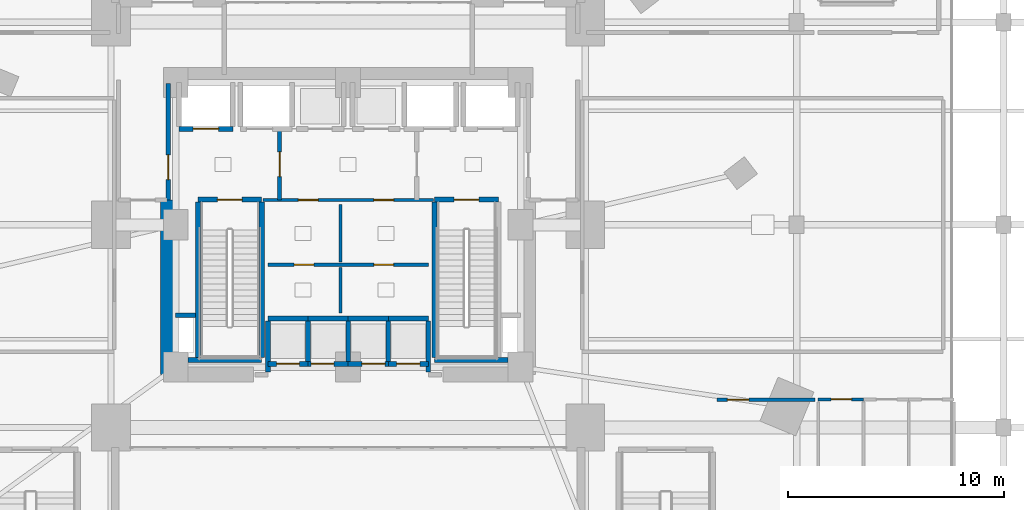
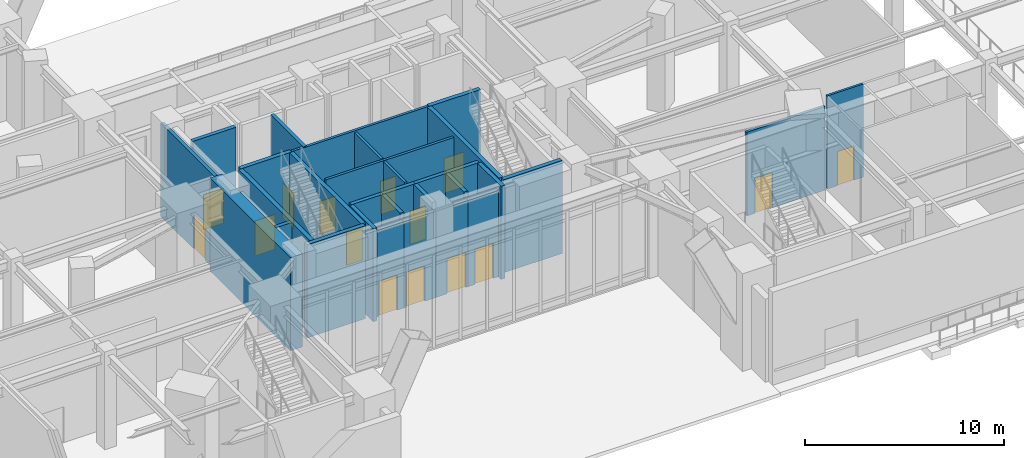
# One storey, part 18 of 27: 31 walls, 15 doors, 15 openings.
"""IFC4 building model written with IfcOpenShell, lengths in metres."""

from ifc_helpers import new_model, si_unit, direction, frame, frame_2d, origin, place, context, subcontext, project, spatial, rectangle, extrude, material, layer, layer_set, type_object, element, fill, save


model = new_model("IFC4")

# Units and contexts
model_context = context("Model", 3, precision=1e-05, world=origin(), true_north=direction((0.0, 1.0)))
body_context = subcontext(model_context, "Body", "Model", "MODEL_VIEW")
ifc_project = project(units=[si_unit("LENGTHUNIT", "METRE"), si_unit("AREAUNIT", "SQUARE_METRE"), si_unit("VOLUMEUNIT", "CUBIC_METRE"), si_unit("PLANEANGLEUNIT", "RADIAN"), si_unit("MASSUNIT", "GRAM", prefix="KILO")], contexts=[model_context])

# Site, building, storey
site_placement = place(None, origin())
site = spatial("IfcSite", under=ifc_project, at=site_placement, CompositionType="ELEMENT")
building_placement = place(site_placement, origin())
building = spatial("IfcBuilding", under=site, at=building_placement, Name="Ndelora Gate Hotel", CompositionType="ELEMENT")
storey_placement = place(building_placement, origin())
storey = spatial("IfcBuildingStorey", under=building, at=storey_placement, Name="L00", CompositionType="ELEMENT", Elevation=0.0)

# Wall
ifc_material_1 = material(Name="Concrete C60/75", Category="concrete")
ifc_layer_1 = layer(ifc_material_1, 0.699951171875)
ifc_layer_set_1 = layer_set([ifc_layer_1], Name="Concrete C60/75")
wall_type_1 = type_object("IfcWallType", Name="WL-CORE-700", PredefinedType="SHEAR", material=ifc_layer_set_1)
wall_1_placement = place(storey_placement, frame((-8.35009765625, -6.949951171875, 0.0), z_axis=(0.0, 0.0, 1.0), x_axis=(0.0, 1.0, 0.0)))
element("IfcWall", 1, at=wall_1_placement, inside=storey, type_object=wall_type_1, Name="L00 Core Shear Wall W", PredefinedType="SHEAR", context=body_context, shape_type="SweptSolid", body=[
    extrude(rectangle(XDim=8.099853515625, YDim=0.699951171875, at=frame_2d((4.0498046875, 0.0))), origin(), (0.0, 0.0, 1.0), 5.719970703125),
])

# Wall, opening, door
ifc_material_2 = material(Name="Concrete C40/50", Category="concrete")
ifc_layer_2 = layer(ifc_material_2, 0.199951171875)
ifc_layer_set_2 = layer_set([ifc_layer_2], Name="Concrete C40/50")
wall_type_2 = type_object("IfcWallType", Name="WL-FIRE-200", PredefinedType="PARTITIONING", material=ifc_layer_set_2)
wall_2_placement = place(storey_placement, frame((-3.179931640625, 1.14990234375, 0.0), z_axis=(0.0, 0.0, 1.0), x_axis=(0.0, 1.0, 0.0)))
wall_2 = element("IfcWall", 2, at=wall_2_placement, inside=storey, type_object=wall_type_2, Name="L00 Interior Wall IW-2", PredefinedType="PARTITIONING", context=body_context, shape_type="SweptSolid", body=[
    extrude(rectangle(XDim=3.300048828125, YDim=0.199951171875, at=frame_2d((1.64990234375, 0.0))), origin(), (0.0, 0.0, 1.0), 5.719970703125),
])
opening_1_placement = place(wall_2_placement, frame((1.080078125, 0.0, 0.0)))
opening_1 = element("IfcOpeningElement", 3, at=opening_1_placement, cuts=wall_2, Name="Opening FD1", PredefinedType="OPENING", context=body_context, shape_type="SweptSolid", body=[
    extrude(rectangle(XDim=1.14990234375, YDim=2.14990234375, at=frame_2d((0.574951171875, 1.074951171875))), frame((0.0, 0.10986328125, 0.0), z_axis=(0.0, -1.0, 0.0), x_axis=(1.0, 0.0, 0.0)), (0.0, 0.0, 1.0), 0.219970703125),
])
ifc_material_3 = material(Name="Fire-Rated Timber-Veneer Steel Core", Category="steel")
door_type_1 = type_object("IfcDoorType", Name="DR-FD60", OperationType="SINGLE_SWING_LEFT", PredefinedType="DOOR", material=ifc_material_3)
door_1_placement = place(opening_1_placement, origin())
door_1 = element("IfcDoor", 4, at=door_1_placement, inside=storey, type_object=door_type_1, Name="L00 Firefighting Lobby West Door", OperationType="SINGLE_SWING_RIGHT", OverallHeight=2.14990234375, OverallWidth=1.14990234375, PredefinedType="DOOR", context=body_context, shape_type="SweptSolid", body=[
    extrude(rectangle(XDim=1.14990234375, YDim=2.14990234375, at=frame_2d((0.574951171875, 1.074951171875))), frame((0.0, 0.02490234375, 0.0), z_axis=(0.0, -1.0, 0.0), x_axis=(1.0, 0.0, 0.0)), (0.0, 0.0, 1.0), 0.050048828125),
])
fill(opening_1, door_1)

wall_3_placement = place(storey_placement, frame((-8.35009765625, 1.14990234375, 0.0), z_axis=(0.0, 0.0, 1.0), x_axis=(0.0, 1.0, 0.0)))
wall_3 = element("IfcWall", 5, at=wall_3_placement, inside=storey, type_object=wall_type_2, Name="L00 Interior Wall IW-2", PredefinedType="PARTITIONING", context=body_context, shape_type="SweptSolid", body=[
    extrude(rectangle(XDim=5.400146484375, YDim=0.199951171875, at=frame_2d((2.7001953125, 0.0))), origin(), (0.0, 0.0, 1.0), 5.719970703125),
])
opening_2_placement = place(wall_3_placement, frame((0.949951171875, 0.0, 0.0)))
opening_2 = element("IfcOpeningElement", 6, at=opening_2_placement, cuts=wall_3, Name="Opening FD1", PredefinedType="OPENING", context=body_context, shape_type="SweptSolid", body=[
    extrude(rectangle(XDim=1.14990234375, YDim=2.14990234375, at=frame_2d((0.574951171875, 1.074951171875))), frame((0.0, 0.10986328125, 0.0), z_axis=(0.0, -1.0, 0.0), x_axis=(1.0, 0.0, 0.0)), (0.0, 0.0, 1.0), 0.219970703125),
])
door_2_placement = place(opening_2_placement, origin())
door_2 = element("IfcDoor", 7, at=door_2_placement, inside=storey, type_object=door_type_1, Name="L00 Firefighting Lobby West Corridor Door", OperationType="SINGLE_SWING_LEFT", OverallHeight=2.14990234375, OverallWidth=1.14990234375, PredefinedType="DOOR", context=body_context, shape_type="SweptSolid", body=[
    extrude(rectangle(XDim=1.14990234375, YDim=2.14990234375, at=frame_2d((0.574951171875, 1.074951171875))), frame((0.0, 0.02490234375, 0.0), z_axis=(0.0, -1.0, 0.0), x_axis=(1.0, 0.0, 0.0)), (0.0, 0.0, 1.0), 0.050048828125),
])
fill(opening_2, door_2)

# Wall, openings, doors
ifc_material_4 = material(Name="Fire-Rated Gypsum Stud Partition", Category="gypsum")
ifc_layer_3 = layer(ifc_material_4, 0.14990234375)
ifc_layer_set_3 = layer_set([ifc_layer_3], Name="Fire-Rated Gypsum Stud Partition")
wall_type_3 = type_object("IfcWallType", Name="WL-PART-150", PredefinedType="PARTITIONING", material=ifc_layer_set_3)
wall_4_placement = place(storey_placement, frame((3.949951171875, 1.14990234375, 0.0), z_axis=(0.0, 0.0, 1.0), x_axis=(-1.0, 0.0, 0.0)))
wall_4 = element("IfcWall", 8, at=wall_4_placement, inside=storey, type_object=wall_type_3, Name="L00 Interior Wall IW-5", PredefinedType="PARTITIONING", context=body_context, shape_type="SweptSolid", body=[
    extrude(rectangle(XDim=7.89990234375, YDim=0.14990234375, at=frame_2d((3.949951171875, 0.0))), origin(), (0.0, 0.0, 1.0), 5.719970703125),
])
opening_3_placement = place(wall_4_placement, frame((5.340087890625, 0.0, 0.0)))
opening_3 = element("IfcOpeningElement", 9, at=opening_3_placement, cuts=wall_4, Name="Opening D04", PredefinedType="OPENING", context=body_context, shape_type="SweptSolid", body=[
    extrude(rectangle(XDim=0.919921875, YDim=2.050048828125, at=frame_2d((0.4599609375, 1.02490234375))), frame((0.0, 0.0849609375, 0.0), z_axis=(0.0, -1.0, 0.0), x_axis=(1.0, 0.0, 0.0)), (0.0, 0.0, 1.0), 0.169921875),
])
opening_4_placement = place(wall_4_placement, frame((1.840087890625, 0.0, 0.0)))
opening_4 = element("IfcOpeningElement", 10, at=opening_4_placement, cuts=wall_4, Name="Opening D04", PredefinedType="OPENING", context=body_context, shape_type="SweptSolid", body=[
    extrude(rectangle(XDim=0.919921875, YDim=2.050048828125, at=frame_2d((0.4599609375, 1.02490234375))), frame((0.0, 0.0849609375, 0.0), z_axis=(0.0, -1.0, 0.0), x_axis=(1.0, 0.0, 0.0)), (0.0, 0.0, 1.0), 0.169921875),
])
ifc_material_5 = material(Name="Painted Steel Core Service Door", Category="steel")
door_type_2 = type_object("IfcDoorType", Name="DR-SER-920", OperationType="SINGLE_SWING_LEFT", PredefinedType="DOOR", material=ifc_material_5)
door_3_placement = place(opening_3_placement, origin())
door_3 = element("IfcDoor", 11, at=door_3_placement, inside=storey, type_object=door_type_2, Name="L00 Core Electrical Closet Door", OperationType="SINGLE_SWING_LEFT", OverallHeight=2.050048828125, OverallWidth=0.919921875, PredefinedType="DOOR", context=body_context, shape_type="SweptSolid", body=[
    extrude(rectangle(XDim=0.919921875, YDim=2.050048828125, at=frame_2d((0.4599609375, 1.02490234375))), frame((0.0, 0.02490234375, 0.0), z_axis=(0.0, -1.0, 0.0), x_axis=(1.0, 0.0, 0.0)), (0.0, 0.0, 1.0), 0.050048828125),
])
fill(opening_3, door_3)
door_4_placement = place(opening_4_placement, origin())
door_4 = element("IfcDoor", 12, at=door_4_placement, inside=storey, type_object=door_type_2, Name="L00 Comms Patching Store Door", OperationType="SINGLE_SWING_RIGHT", OverallHeight=2.050048828125, OverallWidth=0.919921875, PredefinedType="DOOR", context=body_context, shape_type="SweptSolid", body=[
    extrude(rectangle(XDim=0.919921875, YDim=2.050048828125, at=frame_2d((0.4599609375, 1.02490234375))), frame((0.0, 0.02490234375, 0.0), z_axis=(0.0, -1.0, 0.0), x_axis=(1.0, 0.0, 0.0)), (0.0, 0.0, 1.0), 0.050048828125),
])
fill(opening_4, door_4)

wall_5_placement = place(storey_placement, frame((-3.719970703125, -1.85009765625, 0.0), z_axis=(0.0, 0.0, 1.0), x_axis=(1.0, 0.0, 0.0)))
wall_5 = element("IfcWall", 13, at=wall_5_placement, inside=storey, type_object=wall_type_3, Name="L00 Interior Wall IW-5", PredefinedType="PARTITIONING", context=body_context, shape_type="SweptSolid", body=[
    extrude(rectangle(XDim=7.43994140625, YDim=0.14990234375, at=frame_2d((3.719970703125, 0.0))), origin(), (0.0, 0.0, 1.0), 5.719970703125),
])
opening_5_placement = place(wall_5_placement, frame((1.2099609375, 0.0, 0.0)))
opening_5 = element("IfcOpeningElement", 14, at=opening_5_placement, cuts=wall_5, Name="Opening D04", PredefinedType="OPENING", context=body_context, shape_type="SweptSolid", body=[
    extrude(rectangle(XDim=0.919921875, YDim=2.050048828125, at=frame_2d((0.4599609375, 1.02490234375))), frame((0.0, 0.0849609375, 0.0), z_axis=(0.0, -1.0, 0.0), x_axis=(1.0, 0.0, 0.0)), (0.0, 0.0, 1.0), 0.169921875),
])
opening_6_placement = place(wall_5_placement, frame((4.909912109375, 0.0, 0.0)))
opening_6 = element("IfcOpeningElement", 15, at=opening_6_placement, cuts=wall_5, Name="Opening D04", PredefinedType="OPENING", context=body_context, shape_type="SweptSolid", body=[
    extrude(rectangle(XDim=0.919921875, YDim=2.050048828125, at=frame_2d((0.4599609375, 1.02490234375))), frame((0.0, 0.0849609375, 0.0), z_axis=(0.0, -1.0, 0.0), x_axis=(1.0, 0.0, 0.0)), (0.0, 0.0, 1.0), 0.169921875),
])
door_5_placement = place(opening_5_placement, origin())
door_5 = element("IfcDoor", 16, at=door_5_placement, inside=storey, type_object=door_type_2, Name="L00 Core Service Internal Door", OperationType="SINGLE_SWING_LEFT", OverallHeight=2.050048828125, OverallWidth=0.919921875, PredefinedType="DOOR", context=body_context, shape_type="SweptSolid", body=[
    extrude(rectangle(XDim=0.919921875, YDim=2.050048828125, at=frame_2d((0.4599609375, 1.02490234375))), frame((0.0, 0.02490234375, 0.0), z_axis=(0.0, -1.0, 0.0), x_axis=(1.0, 0.0, 0.0)), (0.0, 0.0, 1.0), 0.050048828125),
])
fill(opening_5, door_5)
door_6_placement = place(opening_6_placement, origin())
door_6 = element("IfcDoor", 17, at=door_6_placement, inside=storey, type_object=door_type_2, Name="L00 Core Service Internal Door", OperationType="SINGLE_SWING_LEFT", OverallHeight=2.050048828125, OverallWidth=0.919921875, PredefinedType="DOOR", context=body_context, shape_type="SweptSolid", body=[
    extrude(rectangle(XDim=0.919921875, YDim=2.050048828125, at=frame_2d((0.4599609375, 1.02490234375))), frame((0.0, 0.02490234375, 0.0), z_axis=(0.0, -1.0, 0.0), x_axis=(1.0, 0.0, 0.0)), (0.0, 0.0, 1.0), 0.050048828125),
])
fill(opening_6, door_6)

# Walls
wall_6_placement = place(storey_placement, frame((-0.35009765625, -4.080078125, 0.0), z_axis=(0.0, 0.0, 1.0), x_axis=(0.0, 1.0, 0.0)))
element("IfcWall", 18, at=wall_6_placement, inside=storey, type_object=wall_type_3, Name="L00 Interior Wall IW-5", PredefinedType="PARTITIONING", context=body_context, shape_type="SweptSolid", body=[
    extrude(rectangle(XDim=2.110107421875, YDim=0.14990234375, at=frame_2d((1.05517578125, 0.0))), origin(), (0.0, 0.0, 1.0), 5.719970703125),
])
wall_7_placement = place(storey_placement, frame((-0.35009765625, -1.72998046875, 0.0), z_axis=(0.0, 0.0, 1.0), x_axis=(0.0, 1.0, 0.0)))
element("IfcWall", 19, at=wall_7_placement, inside=storey, type_object=wall_type_3, Name="L00 Interior Wall IW-5", PredefinedType="PARTITIONING", context=body_context, shape_type="SweptSolid", body=[
    extrude(rectangle(XDim=2.679931640625, YDim=0.14990234375, at=frame_2d((1.33984375, 0.0))), origin(), (0.0, 0.0, 1.0), 5.719970703125),
])

# Wall, opening, door
ifc_layer_4 = layer(ifc_material_4, 0.159912109375)
ifc_layer_set_4 = layer_set([ifc_layer_4], Name="Fire-Rated Gypsum Stud Partition")
wall_type_4 = type_object("IfcWallType", Name="WL-PART-160", PredefinedType="PARTITIONING", material=ifc_layer_set_4)
wall_8_placement = place(storey_placement, frame((21.64990234375, -8.1201171875, 0.0), z_axis=(0.0, 0.0, 1.0), x_axis=(-1.0, 0.0, 0.0)))
wall_8 = element("IfcWall", 20, at=wall_8_placement, inside=storey, type_object=wall_type_4, Name="L00 Interior Wall IW-4", PredefinedType="PARTITIONING", context=body_context, shape_type="SweptSolid", body=[
    extrude(rectangle(XDim=4.5498046875, YDim=0.159912109375, at=frame_2d((2.27490234375, 0.0))), origin(), (0.0, 0.0, 1.0), 5.14990234375),
])
opening_7_placement = place(wall_8_placement, frame((3.06005859375, 0.0, 0.0)))
opening_7 = element("IfcOpeningElement", 21, at=opening_7_placement, cuts=wall_8, Name="Opening D01", PredefinedType="OPENING", context=body_context, shape_type="SweptSolid", body=[
    extrude(rectangle(XDim=1.0, YDim=2.14990234375, at=frame_2d((0.5, 1.074951171875))), frame((0.0, 0.08984375, 0.0), z_axis=(0.0, -1.0, 0.0), x_axis=(1.0, 0.0, 0.0)), (0.0, 0.0, 1.0), 0.179931640625),
])
ifc_material_6 = material(Name="Acoustic Hardwood Guest Entrance Door", Category="wood")
door_type_3 = type_object("IfcDoorType", Name="DR-COR-1000", OperationType="SINGLE_SWING_LEFT", PredefinedType="DOOR", material=ifc_material_6)
door_7_placement = place(opening_7_placement, origin())
door_7 = element("IfcDoor", 22, at=door_7_placement, inside=storey, type_object=door_type_3, Name="L00 South-East Brasserie Salon Door", OperationType="SINGLE_SWING_RIGHT", OverallHeight=2.14990234375, OverallWidth=1.0, PredefinedType="DOOR", context=body_context, shape_type="SweptSolid", body=[
    extrude(rectangle(XDim=1.0, YDim=2.14990234375, at=frame_2d((0.5, 1.074951171875))), frame((0.0, 0.02490234375, 0.0), z_axis=(0.0, -1.0, 0.0), x_axis=(1.0, 0.0, 0.0)), (0.0, 0.0, 1.0), 0.050048828125),
])
fill(opening_7, door_7)

# Wall
ifc_layer_5 = layer(ifc_material_2, 0.219970703125)
ifc_layer_set_5 = layer_set([ifc_layer_5], Name="Concrete C40/50")
wall_type_5 = type_object("IfcWallType", Name="WL-SHAFT-220", PredefinedType="PARTITIONING", material=ifc_layer_set_5)
wall_9_placement = place(storey_placement, frame((-8.0, -4.199951171875, 0.0), z_axis=(0.0, 0.0, 1.0), x_axis=(1.0, 0.0, 0.0)))
element("IfcWall", 23, at=wall_9_placement, inside=storey, type_object=wall_type_5, Name="L00 Interior Wall IW-1", PredefinedType="PARTITIONING", context=body_context, shape_type="SweptSolid", body=[
    extrude(rectangle(XDim=0.909912109375, YDim=0.219970703125, at=frame_2d((0.455078125, 0.0))), origin(), (0.0, 0.0, 1.0), 5.719970703125),
])

# Wall, opening, door
wall_10_placement = place(storey_placement, frame((-7.85009765625, 4.449951171875, 0.0), z_axis=(0.0, 0.0, 1.0), x_axis=(1.0, 0.0, 0.0)))
wall_10 = element("IfcWall", 24, at=wall_10_placement, inside=storey, type_object=wall_type_5, Name="L00 Interior Wall IW-1", PredefinedType="PARTITIONING", context=body_context, shape_type="SweptSolid", body=[
    extrude(rectangle(XDim=2.5, YDim=0.219970703125, at=frame_2d((1.25, 0.0))), origin(), (0.0, 0.0, 1.0), 5.719970703125),
])
opening_8_placement = place(wall_10_placement, frame((0.659912109375, 0.0, 0.0)))
opening_8 = element("IfcOpeningElement", 25, at=opening_8_placement, cuts=wall_10, Name="Opening LD5", PredefinedType="OPENING", context=body_context, shape_type="SweptSolid", body=[
    extrude(rectangle(XDim=1.179931640625, YDim=2.14990234375, at=frame_2d((0.58984375, 1.074951171875))), frame((0.0, 0.1201171875, 0.0), z_axis=(0.0, -1.0, 0.0), x_axis=(1.0, 0.0, 0.0)), (0.0, 0.0, 1.0), 0.239990234375),
])
ifc_material_7 = material(Name="Firefighting Lift Stainless Sliding Landing Door", Category="metal")
door_type_4 = type_object("IfcDoorType", Name="DR-LD5", OperationType="DOUBLE_DOOR_SLIDING", PredefinedType="DOOR", material=ifc_material_7)
door_8_placement = place(opening_8_placement, origin())
door_8 = element("IfcDoor", 26, at=door_8_placement, inside=storey, type_object=door_type_4, Name="L00 Lift Landing Sliding Door FFL1", OperationType="DOUBLE_DOOR_SLIDING", OverallHeight=2.14990234375, OverallWidth=1.179931640625, PredefinedType="DOOR", context=body_context, shape_type="SweptSolid", body=[
    extrude(rectangle(XDim=1.179931640625, YDim=2.14990234375, at=frame_2d((0.58984375, 1.074951171875))), frame((0.0, 0.02490234375, 0.0), z_axis=(0.0, -1.0, 0.0), x_axis=(1.0, 0.0, 0.0)), (0.0, 0.0, 1.0), 0.050048828125),
])
fill(opening_8, door_8)

wall_11_placement = place(storey_placement, frame((-3.719970703125, -6.449951171875, 0.0), z_axis=(0.0, 0.0, 1.0), x_axis=(1.0, 0.0, 0.0)))
wall_11 = element("IfcWall", 27, at=wall_11_placement, inside=storey, type_object=wall_type_5, Name="L00 Interior Wall IW-1", PredefinedType="PARTITIONING", context=body_context, shape_type="SweptSolid", body=[
    extrude(rectangle(XDim=1.85986328125, YDim=0.219970703125, at=frame_2d((0.929931640625, 0.0))), origin(), (0.0, 0.0, 1.0), 5.300048828125),
])
opening_9_placement = place(wall_11_placement, frame((0.39990234375, 0.0, 0.0)))
opening_9 = element("IfcOpeningElement", 28, at=opening_9_placement, cuts=wall_11, Name="Opening LD1", PredefinedType="OPENING", context=body_context, shape_type="SweptSolid", body=[
    extrude(rectangle(XDim=1.06005859375, YDim=2.14990234375, at=frame_2d((0.530029296875, 1.074951171875))), frame((0.0, 0.1201171875, 0.0), z_axis=(0.0, -1.0, 0.0), x_axis=(1.0, 0.0, 0.0)), (0.0, 0.0, 1.0), 0.239990234375),
])
ifc_material_8 = material(Name="Brushed Bronze Stainless Lift Landing Door", Category="metal")
door_type_5 = type_object("IfcDoorType", Name="DR-LD1", OperationType="DOUBLE_DOOR_SLIDING", PredefinedType="DOOR", material=ifc_material_8)
door_9_placement = place(opening_9_placement, origin())
door_9 = element("IfcDoor", 29, at=door_9_placement, inside=storey, type_object=door_type_5, Name="L00 Lift Landing Sliding Door P1A", OperationType="DOUBLE_DOOR_SLIDING", OverallHeight=2.14990234375, OverallWidth=1.06005859375, PredefinedType="DOOR", context=body_context, shape_type="SweptSolid", body=[
    extrude(rectangle(XDim=1.06005859375, YDim=2.14990234375, at=frame_2d((0.530029296875, 1.074951171875))), frame((0.0, 0.02490234375, 0.0), z_axis=(0.0, -1.0, 0.0), x_axis=(1.0, 0.0, 0.0)), (0.0, 0.0, 1.0), 0.050048828125),
])
fill(opening_9, door_9)

# Walls
wall_12_placement = place(storey_placement, frame((-3.719970703125, -4.35009765625, 0.0), z_axis=(0.0, 0.0, 1.0), x_axis=(1.0, 0.0, 0.0)))
element("IfcWall", 30, at=wall_12_placement, inside=storey, type_object=wall_type_5, Name="L00 Interior Wall IW-1", PredefinedType="PARTITIONING", context=body_context, shape_type="SweptSolid", body=[
    extrude(rectangle(XDim=1.85986328125, YDim=0.219970703125, at=frame_2d((0.929931640625, 0.0))), origin(), (0.0, 0.0, 1.0), 5.719970703125),
])
wall_13_placement = place(storey_placement, frame((-3.719970703125, -6.830078125, 0.0), z_axis=(0.0, 0.0, 1.0), x_axis=(0.0, 1.0, 0.0)))
element("IfcWall", 31, at=wall_13_placement, inside=storey, type_object=wall_type_5, Name="L00 Interior Wall IW-1", PredefinedType="PARTITIONING", context=body_context, shape_type="SweptSolid", body=[
    extrude(rectangle(XDim=2.360107421875, YDim=0.219970703125, at=frame_2d((1.18017578125, 0.0))), origin(), (0.0, 0.0, 1.0), 5.719970703125),
])
wall_14_placement = place(storey_placement, frame((-1.860107421875, -6.330078125, 0.0), z_axis=(0.0, 0.0, 1.0), x_axis=(0.0, 1.0, 0.0)))
element("IfcWall", 32, at=wall_14_placement, inside=storey, type_object=wall_type_5, Name="L00 Interior Wall IW-1", PredefinedType="PARTITIONING", context=body_context, shape_type="SweptSolid", body=[
    extrude(rectangle(XDim=1.860107421875, YDim=0.219970703125, at=frame_2d((0.93017578125, 0.0))), origin(), (0.0, 0.0, 1.0), 5.719970703125),
])

# Wall, opening, door
wall_15_placement = place(storey_placement, frame((-1.860107421875, -6.449951171875, 0.0), z_axis=(0.0, 0.0, 1.0), x_axis=(1.0, 0.0, 0.0)))
wall_15 = element("IfcWall", 33, at=wall_15_placement, inside=storey, type_object=wall_type_5, Name="L00 Interior Wall IW-1", PredefinedType="PARTITIONING", context=body_context, shape_type="SweptSolid", body=[
    extrude(rectangle(XDim=1.860107421875, YDim=0.219970703125, at=frame_2d((0.93017578125, 0.0))), origin(), (0.0, 0.0, 1.0), 5.300048828125),
])
opening_10_placement = place(wall_15_placement, frame((0.139892578125, 0.0, 0.0)))
opening_10 = element("IfcOpeningElement", 34, at=opening_10_placement, cuts=wall_15, Name="Opening LD1", PredefinedType="OPENING", context=body_context, shape_type="SweptSolid", body=[
    extrude(rectangle(XDim=1.06005859375, YDim=2.14990234375, at=frame_2d((0.530029296875, 1.074951171875))), frame((0.0, 0.1201171875, 0.0), z_axis=(0.0, -1.0, 0.0), x_axis=(1.0, 0.0, 0.0)), (0.0, 0.0, 1.0), 0.239990234375),
])
door_10_placement = place(opening_10_placement, origin())
door_10 = element("IfcDoor", 35, at=door_10_placement, inside=storey, type_object=door_type_5, Name="L00 Lift Landing Sliding Door P1B", OperationType="DOUBLE_DOOR_SLIDING", OverallHeight=2.14990234375, OverallWidth=1.06005859375, PredefinedType="DOOR", context=body_context, shape_type="SweptSolid", body=[
    extrude(rectangle(XDim=1.06005859375, YDim=2.14990234375, at=frame_2d((0.530029296875, 1.074951171875))), frame((0.0, 0.02490234375, 0.0), z_axis=(0.0, -1.0, 0.0), x_axis=(1.0, 0.0, 0.0)), (0.0, 0.0, 1.0), 0.050048828125),
])
fill(opening_10, door_10)

# Walls
for number, where, z_axis, x_axis, name in (
    (36, (-1.860107421875, -4.35009765625, 0.0), (0.0, 0.0, 1.0), (1.0, 0.0, 0.0), "L00 Interior Wall IW-1"),
    (37, (0.0, -6.330078125, 0.0), (0.0, 0.0, 1.0), (0.0, 1.0, 0.0), "L00 Interior Wall IW-1"),
):
    element("IfcWall", number, at=place(storey_placement, frame(where, z_axis=z_axis, x_axis=x_axis)), inside=storey, type_object=wall_type_5, Name=name, PredefinedType="PARTITIONING", context=body_context, shape_type="SweptSolid", body=[
        extrude(rectangle(XDim=1.860107421875, YDim=0.219970703125, at=frame_2d((0.93017578125, 0.0))), origin(), (0.0, 0.0, 1.0), 5.719970703125),
    ])

# Wall, opening, door
wall_16_placement = place(storey_placement, frame((0.0, -6.449951171875, 0.0), z_axis=(0.0, 0.0, 1.0), x_axis=(1.0, 0.0, 0.0)))
wall_16 = element("IfcWall", 38, at=wall_16_placement, inside=storey, type_object=wall_type_5, Name="L00 Interior Wall IW-1", PredefinedType="PARTITIONING", context=body_context, shape_type="SweptSolid", body=[
    extrude(rectangle(XDim=1.860107421875, YDim=0.219970703125, at=frame_2d((0.93017578125, 0.0))), origin(), (0.0, 0.0, 1.0), 5.300048828125),
])
opening_11_placement = place(wall_16_placement, frame((0.639892578125, 0.0, 0.0)))
opening_11 = element("IfcOpeningElement", 39, at=opening_11_placement, cuts=wall_16, Name="Opening LD2", PredefinedType="OPENING", context=body_context, shape_type="SweptSolid", body=[
    extrude(rectangle(XDim=1.080078125, YDim=2.14990234375, at=frame_2d((0.5400390625, 1.074951171875))), frame((0.0, 0.1201171875, 0.0), z_axis=(0.0, -1.0, 0.0), x_axis=(1.0, 0.0, 0.0)), (0.0, 0.0, 1.0), 0.239990234375),
])
door_type_6 = type_object("IfcDoorType", Name="DR-LD2", OperationType="DOUBLE_DOOR_SLIDING", PredefinedType="DOOR", material=ifc_material_8)
door_11_placement = place(opening_11_placement, origin())
door_11 = element("IfcDoor", 40, at=door_11_placement, inside=storey, type_object=door_type_6, Name="L00 Lift Landing Sliding Door P2A", OperationType="DOUBLE_DOOR_SLIDING", OverallHeight=2.14990234375, OverallWidth=1.080078125, PredefinedType="DOOR", context=body_context, shape_type="SweptSolid", body=[
    extrude(rectangle(XDim=1.080078125, YDim=2.14990234375, at=frame_2d((0.5400390625, 1.074951171875))), frame((0.0, 0.02490234375, 0.0), z_axis=(0.0, -1.0, 0.0), x_axis=(1.0, 0.0, 0.0)), (0.0, 0.0, 1.0), 0.050048828125),
])
fill(opening_11, door_11)

# Walls
for number, where, z_axis, x_axis, name in (
    (41, (0.0, -4.35009765625, 0.0), (0.0, 0.0, 1.0), (1.0, 0.0, 0.0), "L00 Interior Wall IW-1"),
    (42, (1.860107421875, -6.330078125, 0.0), (0.0, 0.0, 1.0), (0.0, 1.0, 0.0), "L00 Interior Wall IW-1"),
):
    element("IfcWall", number, at=place(storey_placement, frame(where, z_axis=z_axis, x_axis=x_axis)), inside=storey, type_object=wall_type_5, Name=name, PredefinedType="PARTITIONING", context=body_context, shape_type="SweptSolid", body=[
        extrude(rectangle(XDim=1.860107421875, YDim=0.219970703125, at=frame_2d((0.93017578125, 0.0))), origin(), (0.0, 0.0, 1.0), 5.719970703125),
    ])

# Wall, opening, door
wall_17_placement = place(storey_placement, frame((1.860107421875, -6.449951171875, 0.0), z_axis=(0.0, 0.0, 1.0), x_axis=(1.0, 0.0, 0.0)))
wall_17 = element("IfcWall", 43, at=wall_17_placement, inside=storey, type_object=wall_type_5, Name="L00 Interior Wall IW-1", PredefinedType="PARTITIONING", context=body_context, shape_type="SweptSolid", body=[
    extrude(rectangle(XDim=1.85986328125, YDim=0.219970703125, at=frame_2d((0.929931640625, 0.0))), origin(), (0.0, 0.0, 1.0), 5.300048828125),
])
opening_12_placement = place(wall_17_placement, frame((0.389892578125, 0.0, 0.0)))
opening_12 = element("IfcOpeningElement", 44, at=opening_12_placement, cuts=wall_17, Name="Opening LD2", PredefinedType="OPENING", context=body_context, shape_type="SweptSolid", body=[
    extrude(rectangle(XDim=1.080078125, YDim=2.14990234375, at=frame_2d((0.5400390625, 1.074951171875))), frame((0.0, 0.1201171875, 0.0), z_axis=(0.0, -1.0, 0.0), x_axis=(1.0, 0.0, 0.0)), (0.0, 0.0, 1.0), 0.239990234375),
])
door_12_placement = place(opening_12_placement, origin())
door_12 = element("IfcDoor", 45, at=door_12_placement, inside=storey, type_object=door_type_6, Name="L00 Lift Landing Sliding Door P2B", OperationType="DOUBLE_DOOR_SLIDING", OverallHeight=2.14990234375, OverallWidth=1.080078125, PredefinedType="DOOR", context=body_context, shape_type="SweptSolid", body=[
    extrude(rectangle(XDim=1.080078125, YDim=2.14990234375, at=frame_2d((0.5400390625, 1.074951171875))), frame((0.0, 0.02490234375, 0.0), z_axis=(0.0, -1.0, 0.0), x_axis=(1.0, 0.0, 0.0)), (0.0, 0.0, 1.0), 0.050048828125),
])
fill(opening_12, door_12)

# Walls
wall_18_placement = place(storey_placement, frame((1.860107421875, -4.35009765625, 0.0), z_axis=(0.0, 0.0, 1.0), x_axis=(1.0, 0.0, 0.0)))
element("IfcWall", 46, at=wall_18_placement, inside=storey, type_object=wall_type_5, Name="L00 Interior Wall IW-1", PredefinedType="PARTITIONING", context=body_context, shape_type="SweptSolid", body=[
    extrude(rectangle(XDim=1.85986328125, YDim=0.219970703125, at=frame_2d((0.929931640625, 0.0))), origin(), (0.0, 0.0, 1.0), 5.719970703125),
])
wall_19_placement = place(storey_placement, frame((3.719970703125, -6.830078125, 0.0), z_axis=(0.0, 0.0, 1.0), x_axis=(0.0, 1.0, 0.0)))
element("IfcWall", 47, at=wall_19_placement, inside=storey, type_object=wall_type_5, Name="L00 Interior Wall IW-1", PredefinedType="PARTITIONING", context=body_context, shape_type="SweptSolid", body=[
    extrude(rectangle(XDim=2.360107421875, YDim=0.219970703125, at=frame_2d((1.18017578125, 0.0))), origin(), (0.0, 0.0, 1.0), 5.719970703125),
])
ifc_material_9 = material(Name="Concrete C50/60", Category="concrete")
ifc_layer_6 = layer(ifc_material_9, 0.239990234375)
ifc_layer_set_6 = layer_set([ifc_layer_6], Name="Concrete C50/60")
wall_type_6 = type_object("IfcWallType", Name="WL-STAIR-240", PredefinedType="SHEAR", material=ifc_layer_set_6)
wall_20_placement = place(storey_placement, frame((-6.969970703125, -6.159912109375, 0.0), z_axis=(0.0, 0.0, 1.0), x_axis=(0.0, 1.0, 0.0)))
element("IfcWall", 48, at=wall_20_placement, inside=storey, type_object=wall_type_6, Name="L00 Stair Core Shear Wall SW-ST", PredefinedType="SHEAR", context=body_context, shape_type="SweptSolid", body=[
    extrude(rectangle(XDim=7.219970703125, YDim=0.239990234375, at=frame_2d((3.60986328125, 0.0))), origin(), (0.0, 0.0, 1.0), 5.719970703125),
])
wall_21_placement = place(storey_placement, frame((-7.425048828125, -6.27001953125, 0.0), z_axis=(0.0, 0.0, 1.0), x_axis=(1.0, 0.0, 0.0)))
element("IfcWall", 49, at=wall_21_placement, inside=storey, type_object=wall_type_6, Name="L00 Stair Core Shear Wall SW-ST", PredefinedType="SHEAR", context=body_context, shape_type="SweptSolid", body=[
    extrude(rectangle(XDim=3.4150390625, YDim=0.239990234375, at=frame_2d((1.70751953125, 0.0))), origin(), (0.0, 0.0, 1.0), 5.719970703125),
])
wall_22_placement = place(storey_placement, frame((-4.010009765625, -6.159912109375, 0.0), z_axis=(0.0, 0.0, 1.0), x_axis=(0.0, 1.0, 0.0)))
element("IfcWall", 50, at=wall_22_placement, inside=storey, type_object=wall_type_6, Name="L00 Stair Core Shear Wall SW-ST", PredefinedType="SHEAR", context=body_context, shape_type="SweptSolid", body=[
    extrude(rectangle(XDim=7.219970703125, YDim=0.239990234375, at=frame_2d((3.60986328125, 0.0))), origin(), (0.0, 0.0, 1.0), 5.719970703125),
])

# Wall, opening, door
wall_23_placement = place(storey_placement, frame((-6.969970703125, 1.169921875, 0.0), z_axis=(0.0, 0.0, 1.0), x_axis=(1.0, 0.0, 0.0)))
wall_23 = element("IfcWall", 51, at=wall_23_placement, inside=storey, type_object=wall_type_6, Name="L00 Stair Core Shear Wall SW-ST", PredefinedType="SHEAR", context=body_context, shape_type="SweptSolid", body=[
    extrude(rectangle(XDim=2.9599609375, YDim=0.239990234375, at=frame_2d((1.47998046875, 0.0))), origin(), (0.0, 0.0, 1.0), 5.719970703125),
])
opening_13_placement = place(wall_23_placement, frame((0.89990234375, 0.0, 0.0)))
opening_13 = element("IfcOpeningElement", 52, at=opening_13_placement, cuts=wall_23, Name="Opening FD1", PredefinedType="OPENING", context=body_context, shape_type="SweptSolid", body=[
    extrude(rectangle(XDim=1.14990234375, YDim=2.14990234375, at=frame_2d((0.574951171875, 1.074951171875))), frame((0.0, 0.1298828125, 0.0), z_axis=(0.0, -1.0, 0.0), x_axis=(1.0, 0.0, 0.0)), (0.0, 0.0, 1.0), 0.260009765625),
])
door_13_placement = place(opening_13_placement, origin())
door_13 = element("IfcDoor", 53, at=door_13_placement, inside=storey, type_object=door_type_1, Name="L00 Exit Stair ST4 Door", OperationType="SINGLE_SWING_LEFT", OverallHeight=2.14990234375, OverallWidth=1.14990234375, PredefinedType="DOOR", context=body_context, shape_type="SweptSolid", body=[
    extrude(rectangle(XDim=1.14990234375, YDim=2.14990234375, at=frame_2d((0.574951171875, 1.074951171875))), frame((0.0, 0.02490234375, 0.0), z_axis=(0.0, -1.0, 0.0), x_axis=(1.0, 0.0, 0.0)), (0.0, 0.0, 1.0), 0.050048828125),
])
fill(opening_13, door_13)

# Walls
wall_24_placement = place(storey_placement, frame((4.010009765625, -6.159912109375, 0.0), z_axis=(0.0, 0.0, 1.0), x_axis=(0.0, 1.0, 0.0)))
element("IfcWall", 54, at=wall_24_placement, inside=storey, type_object=wall_type_6, Name="L00 Stair Core Shear Wall SW-ST", PredefinedType="SHEAR", context=body_context, shape_type="SweptSolid", body=[
    extrude(rectangle(XDim=7.219970703125, YDim=0.239990234375, at=frame_2d((3.60986328125, 0.0))), origin(), (0.0, 0.0, 1.0), 5.719970703125),
])
wall_25_placement = place(storey_placement, frame((4.010009765625, -6.27001953125, 0.0), z_axis=(0.0, 0.0, 1.0), x_axis=(1.0, 0.0, 0.0)))
element("IfcWall", 55, at=wall_25_placement, inside=storey, type_object=wall_type_6, Name="L00 Stair Core Shear Wall SW-ST", PredefinedType="SHEAR", context=body_context, shape_type="SweptSolid", body=[
    extrude(rectangle(XDim=3.4150390625, YDim=0.239990234375, at=frame_2d((1.70751953125, 0.0))), origin(), (0.0, 0.0, 1.0), 5.719970703125),
])

# Wall, opening, door
wall_26_placement = place(storey_placement, frame((4.010009765625, 1.169921875, 0.0), z_axis=(0.0, 0.0, 1.0), x_axis=(1.0, 0.0, 0.0)))
wall_26 = element("IfcWall", 56, at=wall_26_placement, inside=storey, type_object=wall_type_6, Name="L00 Stair Core Shear Wall SW-ST", PredefinedType="SHEAR", context=body_context, shape_type="SweptSolid", body=[
    extrude(rectangle(XDim=2.9599609375, YDim=0.239990234375, at=frame_2d((1.47998046875, 0.0))), origin(), (0.0, 0.0, 1.0), 5.719970703125),
])
opening_14_placement = place(wall_26_placement, frame((0.89990234375, 0.0, 0.0)))
opening_14 = element("IfcOpeningElement", 57, at=opening_14_placement, cuts=wall_26, Name="Opening FD1", PredefinedType="OPENING", context=body_context, shape_type="SweptSolid", body=[
    extrude(rectangle(XDim=1.14990234375, YDim=2.14990234375, at=frame_2d((0.574951171875, 1.074951171875))), frame((0.0, 0.1298828125, 0.0), z_axis=(0.0, -1.0, 0.0), x_axis=(1.0, 0.0, 0.0)), (0.0, 0.0, 1.0), 0.260009765625),
])
door_14_placement = place(opening_14_placement, origin())
door_14 = element("IfcDoor", 58, at=door_14_placement, inside=storey, type_object=door_type_1, Name="L00 Exit Stair ST5 Door", OperationType="SINGLE_SWING_RIGHT", OverallHeight=2.14990234375, OverallWidth=1.14990234375, PredefinedType="DOOR", context=body_context, shape_type="SweptSolid", body=[
    extrude(rectangle(XDim=1.14990234375, YDim=2.14990234375, at=frame_2d((0.574951171875, 1.074951171875))), frame((0.0, 0.02490234375, 0.0), z_axis=(0.0, -1.0, 0.0), x_axis=(1.0, 0.0, 0.0)), (0.0, 0.0, 1.0), 0.050048828125),
])
fill(opening_14, door_14)

ifc_material_10 = material(Name="Moisture-Resistant Fire-Rated Tile Partition", Category="gypsum")
ifc_layer_7 = layer(ifc_material_10, 0.1298828125)
ifc_layer_set_7 = layer_set([ifc_layer_7], Name="Moisture-Resistant Fire-Rated Tile Partition")
wall_type_7 = type_object("IfcWallType", Name="WL-WET-RATED", PredefinedType="PARTITIONING", material=ifc_layer_set_7)
wall_27_placement = place(storey_placement, frame((23.89990234375, -8.10009765625, 0.0), z_axis=(0.0, 0.0, 1.0), x_axis=(-1.0, 0.0, 0.0)))
wall_27 = element("IfcWall", 59, at=wall_27_placement, inside=storey, type_object=wall_type_7, Name="L00 Interior Wall IW-6", PredefinedType="PARTITIONING", context=body_context, shape_type="SweptSolid", body=[
    extrude(rectangle(XDim=2.099853515625, YDim=0.1298828125, at=frame_2d((1.0498046875, 0.0))), origin(), (0.0, 0.0, 1.0), 5.719970703125),
])
opening_15_placement = place(wall_27_placement, frame((0.550048828125, 0.0, 0.0)))
opening_15 = element("IfcOpeningElement", 60, at=opening_15_placement, cuts=wall_27, Name="Opening D05", PredefinedType="OPENING", context=body_context, shape_type="SweptSolid", body=[
    extrude(rectangle(XDim=0.949951171875, YDim=2.10009765625, at=frame_2d((0.47509765625, 1.050048828125))), frame((0.0, 0.074951171875, 0.0), z_axis=(0.0, -1.0, 0.0), x_axis=(1.0, 0.0, 0.0)), (0.0, 0.0, 1.0), 0.14990234375),
])
ifc_material_11 = material(Name="Accessible Restroom Wide-Clearance Door", Category="wood")
door_type_7 = type_object("IfcDoorType", Name="DR-ACC-950", OperationType="SINGLE_SWING_LEFT", PredefinedType="DOOR", material=ifc_material_11)
door_15_placement = place(opening_15_placement, origin())
door_15 = element("IfcDoor", 61, at=door_15_placement, inside=storey, type_object=door_type_7, Name="L00 Male Public Restroom Door", OperationType="SINGLE_SWING_LEFT", OverallHeight=2.10009765625, OverallWidth=0.949951171875, PredefinedType="DOOR", context=body_context, shape_type="SweptSolid", body=[
    extrude(rectangle(XDim=0.949951171875, YDim=2.10009765625, at=frame_2d((0.47509765625, 1.050048828125))), frame((0.0, 0.02490234375, 0.0), z_axis=(0.0, -1.0, 0.0), x_axis=(1.0, 0.0, 0.0)), (0.0, 0.0, 1.0), 0.050048828125),
])
fill(opening_15, door_15)

save(model, "model.ifc")
